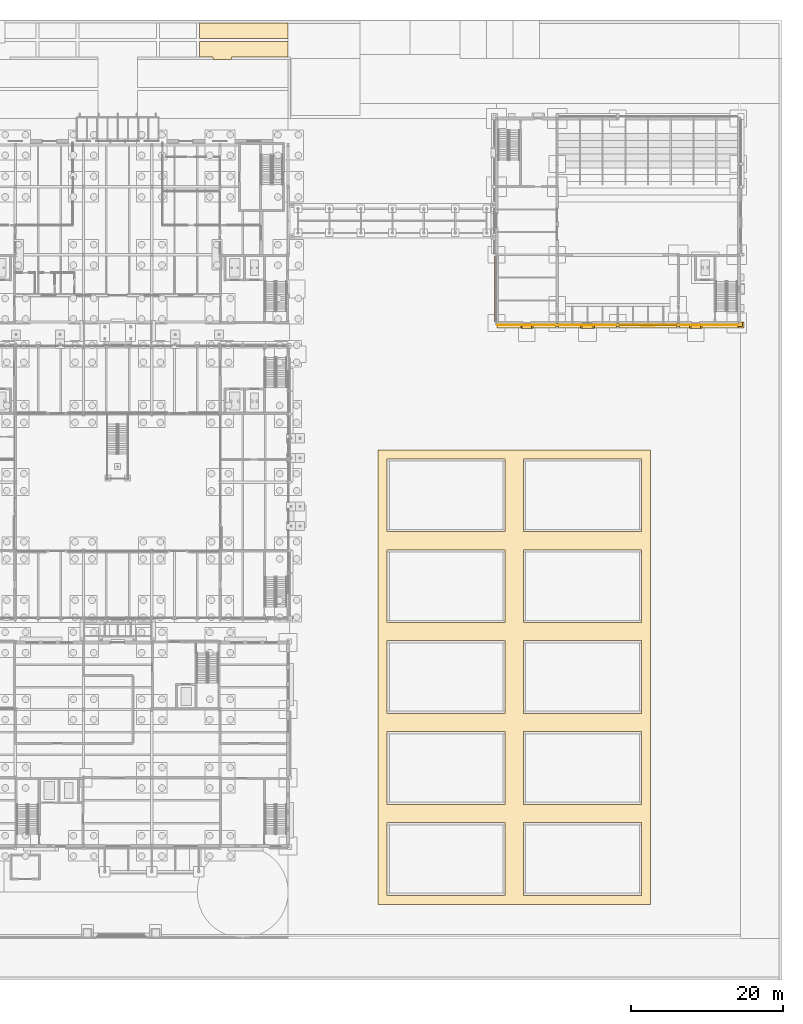
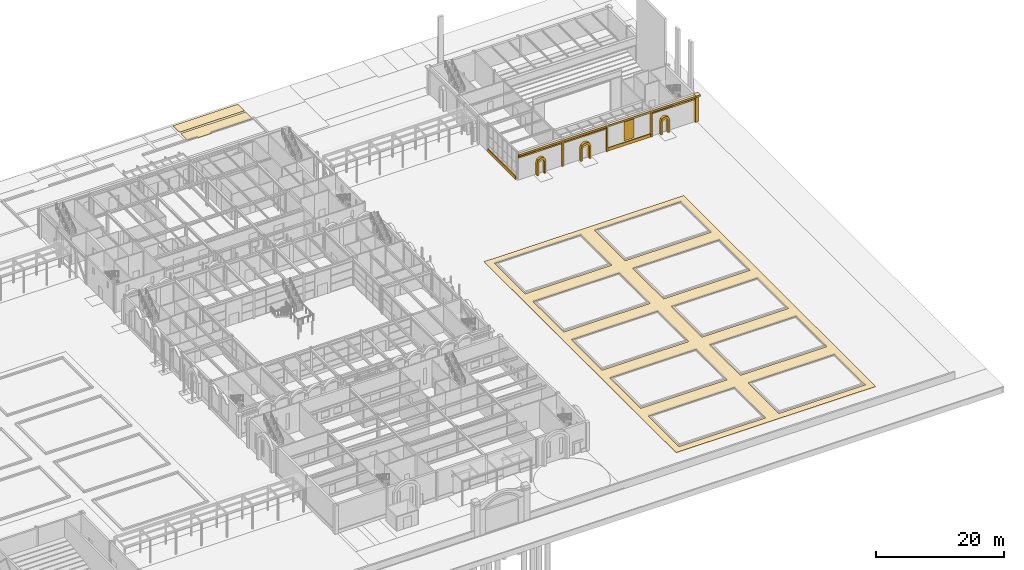
# One storey, part 117 of 126: 25 coverings.
"""IFC4 building model written with IfcOpenShell, lengths in metres."""

from ifc_helpers import new_model, si_unit, direction, frame, origin, origin_2d, place, context, subcontext, project, spatial, polyline, rectangle, outline, extrude, material, layer, layer_set, type_object, element, save


model = new_model("IFC4")

# Units and contexts
model_context = context("Model", 3, precision=1e-05, world=origin(), true_north=direction((0.0, 1.0)))
body_context = subcontext(model_context, "Body", "Model", "MODEL_VIEW")
ifc_project = project(units=[si_unit("LENGTHUNIT", "METRE"), si_unit("AREAUNIT", "SQUARE_METRE"), si_unit("VOLUMEUNIT", "CUBIC_METRE"), si_unit("PLANEANGLEUNIT", "RADIAN"), si_unit("MASSUNIT", "GRAM", prefix="KILO")], contexts=[model_context])

# Site, building, storey
site_placement = place(None, origin())
site = spatial("IfcSite", under=ifc_project, at=site_placement, CompositionType="ELEMENT")
building_placement = place(site_placement, origin())
building = spatial("IfcBuilding", under=site, at=building_placement, Name="Kallimachos Central Library", CompositionType="ELEMENT")
storey_placement = place(building_placement, origin())
storey = spatial("IfcBuildingStorey", under=building, at=storey_placement, Name="L00", CompositionType="ELEMENT", Elevation=0.0)

# Coverings
ifc_material_1 = material(Name="Pentelic marble cladding", Category="masonry")
ifc_layer_1 = layer(ifc_material_1, 0.1201171875)
ifc_layer_set_1 = layer_set([ifc_layer_1], Name="Blind arcade relief panel")
covering_type_1 = type_object("IfcCoveringType", Name="Blind arcade relief panel", PredefinedType="CLADDING", material=ifc_layer_set_1)
covering_1_placement = place(storey_placement, frame((158.0, 86.739990234375, 0.89990234375), z_axis=(0.0, 0.0, 1.0), x_axis=(1.0, 0.0, 0.0)))
element("IfcCovering", 1, at=covering_1_placement, inside=storey, type_object=covering_type_1, Name="Blind arcade relief panel", PredefinedType="CLADDING", context=body_context, shape_type="SweptSolid", body=[
    extrude(rectangle(XDim=1.800048828125, YDim=0.1201171875, at=origin_2d()), origin(), (0.0, 0.0, 1.0), 3.60009765625),
])
ifc_material_2 = material(Name="Granite paving", Category="masonry")
ifc_layer_2 = layer(ifc_material_2, 0.14990234375)
ifc_layer_set_2 = layer_set([ifc_layer_2], Name="Entrance square stone paving 150")
covering_type_2 = type_object("IfcCoveringType", Name="Entrance square stone paving 150", PredefinedType="FLOORING", material=ifc_layer_set_2)
covering_2_placement = place(storey_placement, frame((0.0, 0.0, -0.14990234375)))
element("IfcCovering", 2, at=covering_2_placement, inside=storey, type_object=covering_type_2, Name="Entrance square stone paving B", PredefinedType="FLOORING", context=body_context, shape_type="SweptSolid", body=[
    extrude(outline(polyline([(98.800048828125, 124.14990234375), (110.5, 124.14990234375), (110.5, 122.10009765625), (103.0, 122.10009765625), (103.0, 121.800048828125), (100.60009765625, 121.800048828125), (100.60009765625, 122.10009765625), (98.800048828125, 122.10009765625), (98.800048828125, 124.14990234375)])), origin(), (0.0, 0.0, 1.0), 0.14990234375),
])
covering_3_placement = place(storey_placement, frame((0.0, 0.0, -0.14990234375)))
element("IfcCovering", 3, at=covering_3_placement, inside=storey, type_object=covering_type_2, Name="Entrance square stone paving C", PredefinedType="FLOORING", context=body_context, shape_type="SweptSolid", body=[
    extrude(outline(polyline([(110.5, 124.550048828125), (98.800048828125, 124.550048828125), (98.800048828125, 126.60009765625), (110.5, 126.60009765625), (110.5, 124.550048828125)])), origin(), (0.0, 0.0, 1.0), 0.14990234375),
])
ifc_material_3 = material(Name="Granite paving", Category="masonry")
ifc_layer_3 = layer(ifc_material_3, 0.14990234375)
ifc_layer_set_3 = layer_set([ifc_layer_3], Name="Garden path stone paving 150")
covering_type_3 = type_object("IfcCoveringType", Name="Garden path stone paving 150", PredefinedType="FLOORING", material=ifc_layer_set_3)
covering_4_placement = place(storey_placement, frame((0.0, 0.0, -0.14990234375)))
element("IfcCovering", 4, at=covering_4_placement, inside=storey, type_object=covering_type_3, Name="Garden court path", PredefinedType="FLOORING", context=body_context, shape_type="SweptSolid", body=[
    extrude(outline(polyline([(158.35009765625, 70.27490234375), (158.35009765625, 10.27490234375), (122.35009765625, 10.27490234375), (122.35009765625, 70.27490234375), (158.35009765625, 70.27490234375)]), holes=[polyline([(123.550048828125, 21.074951171875), (123.550048828125, 11.47509765625), (139.14990234375, 11.47509765625), (139.14990234375, 21.074951171875), (123.550048828125, 21.074951171875)]), polyline([(157.14990234375, 21.074951171875), (141.550048828125, 21.074951171875), (141.550048828125, 11.47509765625), (157.14990234375, 11.47509765625), (157.14990234375, 21.074951171875)]), polyline([(123.550048828125, 33.074951171875), (123.550048828125, 23.47509765625), (139.14990234375, 23.47509765625), (139.14990234375, 33.074951171875), (123.550048828125, 33.074951171875)]), polyline([(157.14990234375, 23.47509765625), (157.14990234375, 33.074951171875), (141.550048828125, 33.074951171875), (141.550048828125, 23.47509765625), (157.14990234375, 23.47509765625)]), polyline([(139.14990234375, 45.074951171875), (123.550048828125, 45.074951171875), (123.550048828125, 35.47509765625), (139.14990234375, 35.47509765625), (139.14990234375, 45.074951171875)]), polyline([(141.550048828125, 45.074951171875), (141.550048828125, 35.47509765625), (157.14990234375, 35.47509765625), (157.14990234375, 45.074951171875), (141.550048828125, 45.074951171875)]), polyline([(123.550048828125, 57.074951171875), (123.550048828125, 47.47509765625), (139.14990234375, 47.47509765625), (139.14990234375, 57.074951171875), (123.550048828125, 57.074951171875)]), polyline([(157.14990234375, 57.074951171875), (141.550048828125, 57.074951171875), (141.550048828125, 47.47509765625), (157.14990234375, 47.47509765625), (157.14990234375, 57.074951171875)]), polyline([(139.14990234375, 69.074951171875), (123.550048828125, 69.074951171875), (123.550048828125, 59.47509765625), (139.14990234375, 59.47509765625), (139.14990234375, 69.074951171875)]), polyline([(157.14990234375, 59.47509765625), (157.14990234375, 69.074951171875), (141.550048828125, 69.074951171875), (141.550048828125, 59.47509765625), (157.14990234375, 59.47509765625)])]), origin(), (0.0, 0.0, 1.0), 0.14990234375),
])
ifc_material_4 = material(Name="Glazed ceramic frieze, green")
ifc_layer_4 = layer(ifc_material_4, 0.10009765625)
ifc_layer_set_4 = layer_set([ifc_layer_4], Name="Glazed ceramic frieze, green")
covering_type_4 = type_object("IfcCoveringType", Name="Glazed ceramic frieze, green", PredefinedType="CLADDING", material=ifc_layer_set_4)
covering_5_placement = place(storey_placement, frame((141.969970703125, 86.75, 4.52978515625), z_axis=(0.0, 0.0, 1.0), x_axis=(1.0, 0.0, 0.0)))
element("IfcCovering", 5, at=covering_5_placement, inside=storey, type_object=covering_type_4, Name="Glazed ceramic frieze, green -L00-007", PredefinedType="CLADDING", context=body_context, shape_type="SweptSolid", body=[
    extrude(rectangle(XDim=7.760009765625, YDim=0.10009765625, at=origin_2d()), origin(), (0.0, 0.0, 1.0), 0.300048828125),
])
for number, where, z_axis, x_axis, name in (
    (6, (150.0, 86.75, 4.52978515625), (0.0, 0.0, 1.0), (1.0, 0.0, 0.0), "Glazed ceramic frieze, green -L00-008"),
    (7, (158.0, 86.75, 4.52978515625), (0.0, 0.0, 1.0), (1.0, 0.0, 0.0), "Glazed ceramic frieze, green -L00-009"),
    (8, (166.0, 86.75, 4.52978515625), (0.0, 0.0, 1.0), (1.0, 0.0, 0.0), "Glazed ceramic frieze, green -L00-010"),
):
    element("IfcCovering", number, at=place(storey_placement, frame(where, z_axis=z_axis, x_axis=x_axis)), inside=storey, type_object=covering_type_4, Name=name, PredefinedType="CLADDING", context=body_context, shape_type="SweptSolid", body=[
        extrude(rectangle(XDim=7.699951171875, YDim=0.10009765625, at=origin_2d()), origin(), (0.0, 0.0, 1.0), 0.300048828125),
    ])
ifc_material_5 = material(Name="Glazed ceramic frieze, ochre")
ifc_layer_5 = layer(ifc_material_5, 0.10009765625)
ifc_layer_set_5 = layer_set([ifc_layer_5], Name="Glazed ceramic frieze, ochre")
covering_type_5 = type_object("IfcCoveringType", Name="Glazed ceramic frieze, ochre", PredefinedType="CLADDING", material=ifc_layer_set_5)
covering_6_placement = place(storey_placement, frame((141.969970703125, 86.75, 4.22998046875), z_axis=(0.0, 0.0, 1.0), x_axis=(1.0, 0.0, 0.0)))
element("IfcCovering", 9, at=covering_6_placement, inside=storey, type_object=covering_type_5, Name="Glazed ceramic frieze, ochre -L00-007", PredefinedType="CLADDING", context=body_context, shape_type="SweptSolid", body=[
    extrude(rectangle(XDim=7.760009765625, YDim=0.10009765625, at=origin_2d()), origin(), (0.0, 0.0, 1.0), 0.300048828125),
])
for number, where, z_axis, x_axis, name in (
    (10, (150.0, 86.75, 4.22998046875), (0.0, 0.0, 1.0), (1.0, 0.0, 0.0), "Glazed ceramic frieze, ochre -L00-008"),
    (11, (166.0, 86.75, 4.22998046875), (0.0, 0.0, 1.0), (1.0, 0.0, 0.0), "Glazed ceramic frieze, ochre -L00-010"),
):
    element("IfcCovering", number, at=place(storey_placement, frame(where, z_axis=z_axis, x_axis=x_axis)), inside=storey, type_object=covering_type_5, Name=name, PredefinedType="CLADDING", context=body_context, shape_type="SweptSolid", body=[
        extrude(rectangle(XDim=7.699951171875, YDim=0.10009765625, at=origin_2d()), origin(), (0.0, 0.0, 1.0), 0.300048828125),
    ])
ifc_material_6 = material(Name="Pentelic marble cornice", Category="masonry")
ifc_layer_6 = layer(ifc_material_6, 0.449951171875)
ifc_layer_set_6 = layer_set([ifc_layer_6], Name="Stone cornice 450")
covering_type_6 = type_object("IfcCoveringType", Name="Stone cornice 450", PredefinedType="MOLDING", material=ifc_layer_set_6)
covering_7_placement = place(storey_placement, frame((141.969970703125, 86.574951171875, 4.85009765625), z_axis=(0.0, 0.0, 1.0), x_axis=(1.0, 0.0, 0.0)))
element("IfcCovering", 12, at=covering_7_placement, inside=storey, type_object=covering_type_6, Name="Stone cornice 450 -L00-007", PredefinedType="MOLDING", context=body_context, shape_type="SweptSolid", body=[
    extrude(rectangle(XDim=7.760009765625, YDim=0.449951171875, at=origin_2d()), origin(), (0.0, 0.0, 1.0), 0.300048828125),
])
for number, where, z_axis, x_axis, name in (
    (13, (150.0, 86.574951171875, 4.85009765625), (0.0, 0.0, 1.0), (1.0, 0.0, 0.0), "Stone cornice 450 -L00-008"),
    (14, (158.0, 86.574951171875, 4.85009765625), (0.0, 0.0, 1.0), (1.0, 0.0, 0.0), "Stone cornice 450 -L00-009"),
    (15, (166.0, 86.574951171875, 4.85009765625), (0.0, 0.0, 1.0), (1.0, 0.0, 0.0), "Stone cornice 450 -L00-010"),
):
    element("IfcCovering", number, at=place(storey_placement, frame(where, z_axis=z_axis, x_axis=x_axis)), inside=storey, type_object=covering_type_6, Name=name, PredefinedType="MOLDING", context=body_context, shape_type="SweptSolid", body=[
        extrude(rectangle(XDim=7.699951171875, YDim=0.449951171875, at=origin_2d()), origin(), (0.0, 0.0, 1.0), 0.300048828125),
    ])
covering_8_placement = place(storey_placement, frame((170.25, 86.75, 4.85009765625), z_axis=(0.0, 0.0, 1.0), x_axis=(1.0, 0.0, 0.0)))
element("IfcCovering", 16, at=covering_8_placement, inside=storey, type_object=covering_type_6, Name="Stone cornice 450 corner", PredefinedType="MOLDING", context=body_context, shape_type="SweptSolid", body=[
    extrude(rectangle(XDim=0.800048828125, YDim=0.800048828125, at=origin_2d()), origin(), (0.0, 0.0, 1.0), 0.300048828125),
])
ifc_material_7 = material(Name="Pentelic marble portal arch", Category="masonry")
ifc_layer_7 = layer(ifc_material_7, 0.5)
ifc_layer_set_7 = layer_set([ifc_layer_7], Name="Stone door portal 500")
covering_type_7 = type_object("IfcCoveringType", Name="Stone door portal 500", PredefinedType="MOLDING", material=ifc_layer_set_7)
covering_9_placement = place(storey_placement, frame((141.5, 86.300048828125, 0.0), z_axis=(0.0, -1.0, 0.0), x_axis=(0.0, 0.0, 1.0)))
element("IfcCovering", 17, at=covering_9_placement, inside=storey, type_object=covering_type_7, Name="Door portal -DOR-L00-002", PredefinedType="MOLDING", context=body_context, shape_type="SweptSolid", body=[
    extrude(outline(polyline([(0.0, 0.0), (2.39990234375, 0.0), (2.576171875, -0.10009765625), (2.666259765625, -0.199951171875), (2.720703125, -0.300048828125), (2.75048828125, -0.39990234375), (2.760009765625, -0.5), (2.75048828125, -0.60009765625), (2.720703125, -0.699951171875), (2.666259765625, -0.800048828125), (2.576171875, -0.89990234375), (2.39990234375, -1.0), (0.0, -1.0), (0.0, -1.300048828125), (2.39990234375, -1.300048828125), (2.889892578125, -1.139892578125), (3.050048828125, -0.97998046875), (3.143310546875, -0.820068359375), (3.19384765625, -0.659912109375), (3.2099609375, -0.5), (3.19384765625, -0.340087890625), (3.143310546875, -0.179931640625), (3.050048828125, -0.02001953125), (2.889892578125, 0.139892578125), (2.39990234375, 0.300048828125), (0.0, 0.300048828125), (0.0, 0.0)])), origin(), (0.0, 0.0, -1.0), 0.5),
])
covering_10_placement = place(storey_placement, frame((149.39990234375, 86.300048828125, 0.0), z_axis=(0.0, -1.0, 0.0), x_axis=(0.0, 0.0, 1.0)))
element("IfcCovering", 18, at=covering_10_placement, inside=storey, type_object=covering_type_7, Name="Door portal -DOR-L00-003", PredefinedType="MOLDING", context=body_context, shape_type="SweptSolid", body=[
    extrude(outline(polyline([(0.0, 0.0), (2.39990234375, 0.0), (2.591796875, -0.1201171875), (2.695556640625, -0.239990234375), (2.7587890625, -0.360107421875), (2.793701171875, -0.47998046875), (2.804931640625, -0.60009765625), (2.793701171875, -0.72021484375), (2.7587890625, -0.840087890625), (2.695556640625, -0.960205078125), (2.591796875, -1.080078125), (2.39990234375, -1.2001953125), (0.0, -1.2001953125), (0.0, -1.5), (2.39990234375, -1.5), (2.895751953125, -1.320068359375), (3.0751953125, -1.14013671875), (3.179931640625, -0.960205078125), (3.23681640625, -0.780029296875), (3.2548828125, -0.60009765625), (3.23681640625, -0.420166015625), (3.179931640625, -0.239990234375), (3.0751953125, -0.06005859375), (2.895751953125, 0.119873046875), (2.39990234375, 0.2998046875), (0.0, 0.2998046875), (0.0, 0.0)])), origin(), (0.0, 0.0, -1.0), 0.5),
])
covering_11_placement = place(storey_placement, frame((163.800048828125, 86.300048828125, 0.0), z_axis=(0.0, -1.0, 0.0), x_axis=(0.0, 0.0, 1.0)))
element("IfcCovering", 19, at=covering_11_placement, inside=storey, type_object=covering_type_7, Name="Door portal -DOR-L00-004", PredefinedType="MOLDING", context=body_context, shape_type="SweptSolid", body=[
    extrude(outline(polyline([(0.0, 0.0), (2.39990234375, 0.0), (2.576171875, -0.099853515625), (2.666259765625, -0.199951171875), (2.720703125, -0.300048828125), (2.75048828125, -0.39990234375), (2.760009765625, -0.5), (2.75048828125, -0.599853515625), (2.720703125, -0.699951171875), (2.666259765625, -0.800048828125), (2.576171875, -0.89990234375), (2.39990234375, -1.0), (0.0, -1.0), (0.0, -1.300048828125), (2.39990234375, -1.300048828125), (2.889892578125, -1.139892578125), (3.050048828125, -0.97998046875), (3.143310546875, -0.820068359375), (3.19384765625, -0.659912109375), (3.2099609375, -0.5), (3.19384765625, -0.33984375), (3.143310546875, -0.179931640625), (3.050048828125, -0.02001953125), (2.889892578125, 0.14013671875), (2.39990234375, 0.300048828125), (0.0, 0.300048828125), (0.0, 0.0)])), origin(), (0.0, 0.0, -1.0), 0.5),
])
ifc_material_8 = material(Name="Pentelic marble pilaster", Category="masonry")
ifc_layer_8 = layer(ifc_material_8, 0.25)
ifc_layer_set_8 = layer_set([ifc_layer_8], Name="Stone pilaster 250")
covering_type_8 = type_object("IfcCoveringType", Name="Stone pilaster 250", PredefinedType="CLADDING", material=ifc_layer_set_8)
for number, where, z_axis, x_axis, name in (
    (20, (146.0, 86.77490234375, 0.0), (0.0, 0.0, 1.0), (1.0, 0.0, 0.0), "Stone pilaster 250 -L00-007"),
    (21, (154.0, 86.77490234375, 0.0), (0.0, 0.0, 1.0), (1.0, 0.0, 0.0), "Stone pilaster 250 -L00-008"),
    (22, (162.0, 86.77490234375, 0.0), (0.0, 0.0, 1.0), (1.0, 0.0, 0.0), "Stone pilaster 250 -L00-009"),
):
    element("IfcCovering", number, at=place(storey_placement, frame(where, z_axis=z_axis, x_axis=x_axis)), inside=storey, type_object=covering_type_8, Name=name, PredefinedType="CLADDING", context=body_context, shape_type="SweptSolid", body=[
        extrude(rectangle(XDim=0.300048828125, YDim=0.449951171875, at=origin_2d()), origin(), (0.0, 0.0, 1.0), 4.85009765625),
    ])
covering_12_placement = place(storey_placement, frame((170.14990234375, 86.85009765625, 0.0), z_axis=(0.0, 0.0, 1.0), x_axis=(1.0, 0.0, 0.0)))
element("IfcCovering", 23, at=covering_12_placement, inside=storey, type_object=covering_type_8, Name="Stone pilaster 250 corner", PredefinedType="CLADDING", context=body_context, shape_type="SweptSolid", body=[
    extrude(rectangle(XDim=0.60009765625, YDim=0.60009765625, at=origin_2d()), origin(), (0.0, 0.0, 1.0), 4.85009765625),
])
ifc_material_9 = material(Name="Pentelic marble plinth course", Category="masonry")
ifc_layer_9 = layer(ifc_material_9, 0.14990234375)
ifc_layer_set_9 = layer_set([ifc_layer_9], Name="Stone plinth course 600")
covering_type_9 = type_object("IfcCoveringType", Name="Stone plinth course 600", PredefinedType="CLADDING", material=ifc_layer_set_9)
covering_13_placement = place(storey_placement, frame((158.0, 86.72509765625, 0.0), z_axis=(0.0, 0.0, 1.0), x_axis=(1.0, 0.0, 0.0)))
element("IfcCovering", 24, at=covering_13_placement, inside=storey, type_object=covering_type_9, Name="Stone plinth course 600 -L00-009", PredefinedType="CLADDING", context=body_context, shape_type="SweptSolid", body=[
    extrude(rectangle(XDim=7.699951171875, YDim=0.14990234375, at=origin_2d()), origin(), (0.0, 0.0, 1.0), 0.60009765625),
])
covering_14_placement = place(storey_placement, frame((137.844970703125, 91.5, 0.0), z_axis=(0.0, 0.0, 1.0), x_axis=(1.0, 0.0, 0.0)))
element("IfcCovering", 25, at=covering_14_placement, inside=storey, type_object=covering_type_9, Name="Stone plinth course 600 cw", PredefinedType="CLADDING", context=body_context, shape_type="SweptSolid", body=[
    extrude(rectangle(XDim=0.14990234375, YDim=8.699951171875, at=origin_2d()), origin(), (0.0, 0.0, 1.0), 0.60009765625),
])

save(model, "model.ifc")
